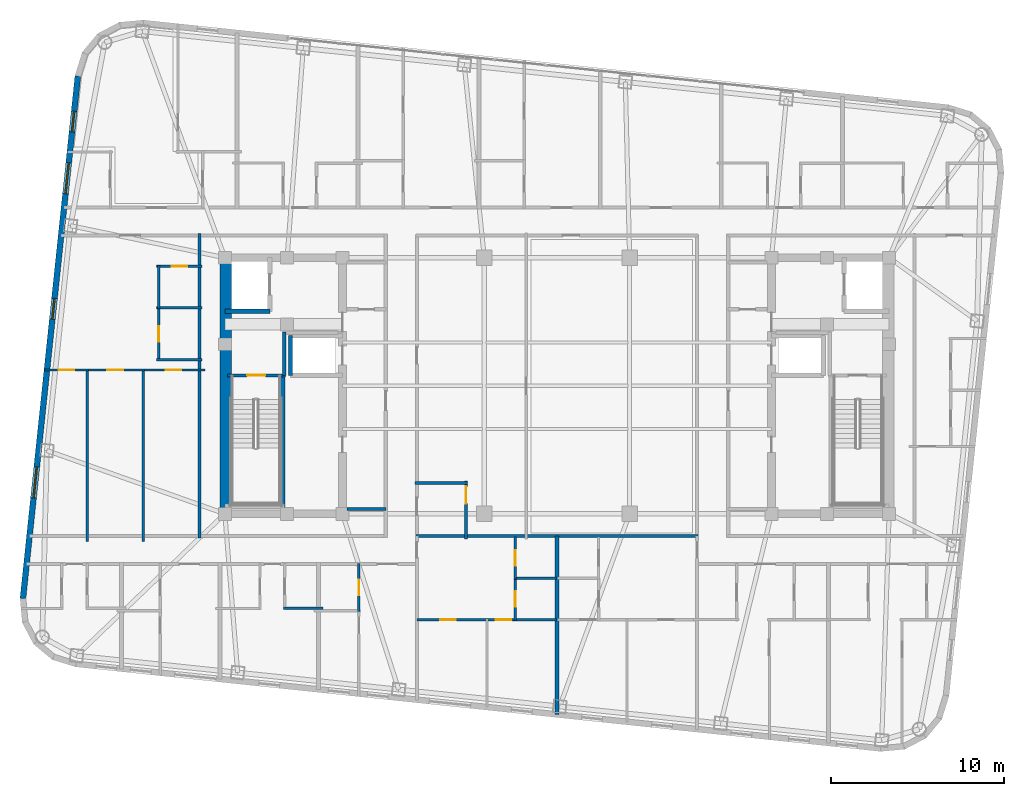
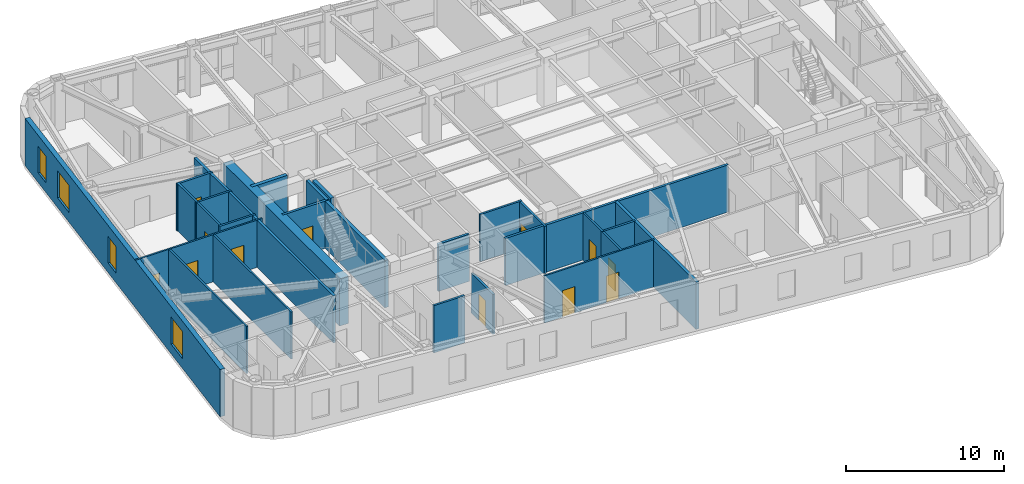
# One storey, part 9 of 16: 29 walls, 12 doors, 4 windows, 16 openings.
"""IFC4 building model written with IfcOpenShell, lengths in metres."""

from ifc_helpers import new_model, si_unit, direction, frame, frame_2d, origin, place, context, subcontext, project, spatial, rectangle, extrude, material, layer, layer_set, type_object, element, fill, save


model = new_model("IFC4")

# Units and contexts
model_context = context("Model", 3, precision=1e-05, world=origin(), true_north=direction((0.0, 1.0)))
body_context = subcontext(model_context, "Body", "Model", "MODEL_VIEW")
ifc_project = project(units=[si_unit("LENGTHUNIT", "METRE"), si_unit("AREAUNIT", "SQUARE_METRE"), si_unit("VOLUMEUNIT", "CUBIC_METRE"), si_unit("PLANEANGLEUNIT", "RADIAN"), si_unit("MASSUNIT", "GRAM", prefix="KILO")], contexts=[model_context])

# Site, building, storey
site_placement = place(None, origin())
site = spatial("IfcSite", under=ifc_project, at=site_placement, CompositionType="ELEMENT")
building_placement = place(site_placement, origin())
building = spatial("IfcBuilding", under=site, at=building_placement, Name="Voryun Gate Residences", CompositionType="ELEMENT")
storey_placement = place(building_placement, frame((0.0, 0.0, 267.800048828125)))
storey = spatial("IfcBuildingStorey", under=building, at=storey_placement, Name="L66", CompositionType="ELEMENT", Elevation=267.800048828125)

# Wall
ifc_material_1 = material(Name="Concrete C60/75", Category="concrete")
ifc_layer_1 = layer(ifc_material_1, 0.64990234375, Name="CW_CORE_650")
ifc_layer_set_1 = layer_set([ifc_layer_1], Name="Concrete C60/75")
wall_type_1 = type_object("IfcWallType", Name="CW_CORE_650", PredefinedType="SHEAR", material=ifc_layer_set_1)
wall_1_placement = place(storey_placement, frame((-19.14501953125, -7.39990234375, 0.0), z_axis=(0.0, 0.0, 1.0), x_axis=(0.0, 1.0, 0.0)))
element("IfcWall", 1, at=wall_1_placement, inside=storey, type_object=wall_type_1, Name="L66 Core shear wall CW-L66-WW", PredefinedType="SHEAR", context=body_context, shape_type="SweptSolid", body=[
    extrude(rectangle(XDim=14.7998046875, YDim=0.64990234375, at=frame_2d((7.39990234375, 0.0))), origin(), (0.0, 0.0, 1.0), 3.64990234375),
])

# Wall, opening, door
ifc_material_2 = material(Name="Gypsum acoustic fireboard")
ifc_layer_2 = layer(ifc_material_2, 0.179931640625, Name="W_CORR_RATED_180")
ifc_layer_set_2 = layer_set([ifc_layer_2], Name="Gypsum acoustic fireboard")
wall_type_2 = type_object("IfcWallType", Name="W_CORR_RATED_180", PredefinedType="PARTITIONING", material=ifc_layer_set_2)
wall_2_placement = place(storey_placement, frame((-19.06005859375, 0.60009765625, 0.0), z_axis=(0.0, 0.0, 1.0), x_axis=(1.0, 0.0, 0.0)))
wall_2 = element("IfcWall", 2, at=wall_2_placement, inside=storey, type_object=wall_type_2, Name="Partition wall WP-L66-STV-W", PredefinedType="PARTITIONING", context=body_context, shape_type="SweptSolid", body=[
    extrude(rectangle(XDim=3.360107421875, YDim=0.179931640625, at=frame_2d((1.68017578125, 0.0))), origin(), (0.0, 0.0, 1.0), 3.64990234375),
])
opening_1_placement = place(wall_2_placement, frame((1.155029296875, 0.0, 0.0)))
opening_1 = element("IfcOpeningElement", 3, at=opening_1_placement, cuts=wall_2, Name="Opening D-FD60-1", PredefinedType="OPENING", context=body_context, shape_type="SweptSolid", body=[
    extrude(rectangle(XDim=1.050048828125, YDim=2.050048828125, at=frame_2d((0.52490234375, 1.02490234375))), frame((0.0, 0.099853515625, 0.0), z_axis=(0.0, -1.0, 0.0), x_axis=(1.0, 0.0, 0.0)), (0.0, 0.0, 1.0), 0.199951171875),
])
ifc_material_3 = material(Name="Painted steel fire door", Category="steel")
door_type_1 = type_object("IfcDoorType", Name="DR_FD60_STAIR_1050", OperationType="NOTDEFINED", PredefinedType="DOOR", material=ifc_material_3)
door_1_placement = place(opening_1_placement, origin())
door_1 = element("IfcDoor", 4, at=door_1_placement, inside=storey, type_object=door_type_1, Name="Door DR-L66-ST-W", OperationType="SINGLE_SWING_LEFT", OverallHeight=2.050048828125, OverallWidth=1.050048828125, PredefinedType="DOOR", context=body_context, shape_type="SweptSolid", body=[
    extrude(rectangle(XDim=1.050048828125, YDim=2.050048828125, at=frame_2d((0.52490234375, 1.02490234375))), frame((0.0, 0.02490234375, 0.0), z_axis=(0.0, -1.0, 0.0), x_axis=(1.0, 0.0, 0.0)), (0.0, 0.0, 1.0), 0.050048828125),
])
fill(opening_1, door_1)

# Walls
wall_3_placement = place(storey_placement, frame((-12.14990234375, -7.1201171875, 0.0), z_axis=(0.0, 0.0, 1.0), x_axis=(1.0, 0.0, 0.0)))
element("IfcWall", 5, at=wall_3_placement, inside=storey, type_object=wall_type_2, Name="Partition wall WP-L66-PLBS-W", PredefinedType="PARTITIONING", context=body_context, shape_type="SweptSolid", body=[
    extrude(rectangle(XDim=2.27001953125, YDim=0.179931640625, at=frame_2d((1.135009765625, 0.0))), origin(), (0.0, 0.0, 1.0), 3.64990234375),
])
wall_4_placement = place(storey_placement, frame((-8.14990234375, -8.68994140625, 0.0), z_axis=(0.0, 0.0, 1.0), x_axis=(1.0, 0.0, 0.0)))
element("IfcWall", 6, at=wall_4_placement, inside=storey, type_object=wall_type_2, Name="Partition wall WP-L66-Z3S", PredefinedType="PARTITIONING", context=body_context, shape_type="SweptSolid", body=[
    extrude(rectangle(XDim=16.2998046875, YDim=0.179931640625, at=frame_2d((8.14990234375, 0.0))), origin(), (0.0, 0.0, 1.0), 3.64990234375),
])
wall_5_placement = place(storey_placement, frame((-20.669921875, -8.81005859375, 0.0), z_axis=(0.0, 0.0, 1.0), x_axis=(0.0, 1.0, 0.0)))
element("IfcWall", 7, at=wall_5_placement, inside=storey, type_object=wall_type_2, Name="Partition wall WP-L66-WCOR", PredefinedType="PARTITIONING", context=body_context, shape_type="SweptSolid", body=[
    extrude(rectangle(XDim=17.6201171875, YDim=0.179931640625, at=frame_2d((8.81005859375, 0.0))), origin(), (0.0, 0.0, 1.0), 3.64990234375),
])

# Wall, openings, windows
ifc_material_4 = material(Name="Charcoal terracotta masonry", Category="masonry")
ifc_layer_3 = layer(ifc_material_4, 0.340087890625, Name="W_EXT_TERRACOTTA_340")
ifc_layer_set_3 = layer_set([ifc_layer_3], Name="Charcoal terracotta masonry")
wall_type_3 = type_object("IfcWallType", Name="W_EXT_TERRACOTTA_340", PredefinedType="ELEMENTEDWALL", material=ifc_layer_set_3)
wall_6_placement = place(storey_placement, frame((-30.8701171875, -12.295654296875, 0.0), z_axis=(0.0, 0.0, 1.0), x_axis=(0.104533282919, 0.994521388791, 0.0)))
wall_6 = element("IfcWall", 8, at=wall_6_placement, inside=storey, type_object=wall_type_3, Name="Exterior wall WEXT-L66-06", PredefinedType="ELEMENTEDWALL", context=body_context, shape_type="SweptSolid", body=[
    extrude(rectangle(XDim=30.366455078125, YDim=0.340087890625, at=frame_2d((15.18310546875, 0.0))), origin(), (0.0, 0.0, 1.0), 3.64990234375),
])
opening_2_placement = place(wall_6_placement, frame((5.841552734375, 0.0, 0.75)))
opening_2 = element("IfcOpeningElement", 9, at=opening_2_placement, cuts=wall_6, Name="Opening WN1", PredefinedType="OPENING", context=body_context, shape_type="SweptSolid", body=[
    extrude(rectangle(XDim=1.800048828125, YDim=2.10009765625, at=frame_2d((0.89990234375, 1.050048828125))), frame((0.0, 0.179931640625, 0.0), z_axis=(0.0, -1.0, 0.0), x_axis=(1.0, 0.0, 0.0)), (0.0, 0.0, 1.0), 0.360107421875),
])
opening_3_placement = place(wall_6_placement, frame((23.52490234375, 0.0, 0.75)))
opening_3 = element("IfcOpeningElement", 10, at=opening_3_placement, cuts=wall_6, Name="Opening WN1", PredefinedType="OPENING", context=body_context, shape_type="SweptSolid", body=[
    extrude(rectangle(XDim=1.800048828125, YDim=2.10009765625, at=frame_2d((0.89990234375, 1.050048828125))), frame((0.0, 0.179931640625, 0.0), z_axis=(0.0, -1.0, 0.0), x_axis=(1.0, 0.0, 0.0)), (0.0, 0.0, 1.0), 0.360107421875),
])
opening_4_placement = place(wall_6_placement, frame((27.116943359375, 0.0, 0.75)))
opening_4 = element("IfcOpeningElement", 11, at=opening_4_placement, cuts=wall_6, Name="Opening WN6", PredefinedType="OPENING", context=body_context, shape_type="SweptSolid", body=[
    extrude(rectangle(XDim=1.199951171875, YDim=2.050048828125, at=frame_2d((0.60009765625, 1.02490234375))), frame((0.0, 0.179931640625, 0.0), z_axis=(0.0, -1.0, 0.0), x_axis=(1.0, 0.0, 0.0)), (0.0, 0.0, 1.0), 0.360107421875),
])
opening_5_placement = place(wall_6_placement, frame((16.235107421875, 0.0, 0.75)))
opening_5 = element("IfcOpeningElement", 12, at=opening_5_placement, cuts=wall_6, Name="Opening WN6", PredefinedType="OPENING", context=body_context, shape_type="SweptSolid", body=[
    extrude(rectangle(XDim=1.199951171875, YDim=2.050048828125, at=frame_2d((0.60009765625, 1.02490234375))), frame((0.0, 0.179931640625, 0.0), z_axis=(0.0, -1.0, 0.0), x_axis=(1.0, 0.0, 0.0)), (0.0, 0.0, 1.0), 0.360107421875),
])
ifc_material_5 = material(Name="Laminated low-E glass", Category="glass")
window_type_1 = type_object("IfcWindowType", Name="WN_POD_SLOT_1200", PartitioningType="SINGLE_PANEL", PredefinedType="WINDOW", material=ifc_material_5)
window_1_placement = place(opening_4_placement, origin())
window_1 = element("IfcWindow", 13, at=window_1_placement, inside=storey, type_object=window_type_1, Name="Window WN-L66-DWFIX-01", OverallHeight=2.050048828125, OverallWidth=1.199951171875, PartitioningType="SINGLE_PANEL", PredefinedType="WINDOW", context=body_context, shape_type="SweptSolid", body=[
    extrude(rectangle(XDim=1.199951171875, YDim=2.050048828125, at=frame_2d((0.60009765625, 1.02490234375))), frame((0.0, 0.030029296875, 0.0), z_axis=(0.0, -1.0, 0.0), x_axis=(1.0, 0.0, 0.0)), (0.0, 0.0, 1.0), 0.06005859375),
])
fill(opening_4, window_1)
window_2_placement = place(opening_5_placement, origin())
window_2 = element("IfcWindow", 14, at=window_2_placement, inside=storey, type_object=window_type_1, Name="Window WN-L66-DWFIX-16", OverallHeight=2.050048828125, OverallWidth=1.199951171875, PartitioningType="SINGLE_PANEL", PredefinedType="WINDOW", context=body_context, shape_type="SweptSolid", body=[
    extrude(rectangle(XDim=1.199951171875, YDim=2.050048828125, at=frame_2d((0.60009765625, 1.02490234375))), frame((0.0, 0.030029296875, 0.0), z_axis=(0.0, -1.0, 0.0), x_axis=(1.0, 0.0, 0.0)), (0.0, 0.0, 1.0), 0.06005859375),
])
fill(opening_5, window_2)
ifc_material_6 = material(Name="Laminated low-E glass", Category="glass")
window_type_2 = type_object("IfcWindowType", Name="WN_RES_PUNCH_1800", PartitioningType="SINGLE_PANEL", PredefinedType="WINDOW", material=ifc_material_6)
window_3_placement = place(opening_2_placement, origin())
window_3 = element("IfcWindow", 15, at=window_3_placement, inside=storey, type_object=window_type_2, Name="Window WN-WEXT-L66-06-01", OverallHeight=2.10009765625, OverallWidth=1.800048828125, PartitioningType="SINGLE_PANEL", PredefinedType="WINDOW", context=body_context, shape_type="SweptSolid", body=[
    extrude(rectangle(XDim=1.800048828125, YDim=2.10009765625, at=frame_2d((0.89990234375, 1.050048828125))), frame((0.0, 0.030029296875, 0.0), z_axis=(0.0, -1.0, 0.0), x_axis=(1.0, 0.0, 0.0)), (0.0, 0.0, 1.0), 0.06005859375),
])
fill(opening_2, window_3)
window_4_placement = place(opening_3_placement, origin())
window_4 = element("IfcWindow", 16, at=window_4_placement, inside=storey, type_object=window_type_2, Name="Window WN-WEXT-L66-06-02", OverallHeight=2.10009765625, OverallWidth=1.800048828125, PartitioningType="SINGLE_PANEL", PredefinedType="WINDOW", context=body_context, shape_type="SweptSolid", body=[
    extrude(rectangle(XDim=1.800048828125, YDim=2.10009765625, at=frame_2d((0.89990234375, 1.050048828125))), frame((0.0, 0.030029296875, 0.0), z_axis=(0.0, -1.0, 0.0), x_axis=(1.0, 0.0, 0.0)), (0.0, 0.0, 1.0), 0.06005859375),
])
fill(opening_3, window_4)

# Walls
ifc_material_7 = material(Name="Concrete C40/50", Category="concrete")
ifc_layer_4 = layer(ifc_material_7, 0.199951171875, Name="W_FF_LOBBY_200")
ifc_layer_set_4 = layer_set([ifc_layer_4], Name="Concrete C40/50")
wall_type_4 = type_object("IfcWallType", Name="W_FF_LOBBY_200", PredefinedType="PARTITIONING", material=ifc_layer_set_4)
wall_7_placement = place(storey_placement, frame((-15.760009765625, 0.580078125, 0.0), z_axis=(0.0, 0.0, 1.0), x_axis=(0.0, 1.0, 0.0)))
element("IfcWall", 17, at=wall_7_placement, inside=storey, type_object=wall_type_4, Name="Partition wall WP-L66-FFP0-W", PredefinedType="PARTITIONING", context=body_context, shape_type="SweptSolid", body=[
    extrude(rectangle(XDim=2.52001953125, YDim=0.199951171875, at=frame_2d((1.260009765625, 0.0))), origin(), (0.0, 0.0, 1.0), 3.64990234375),
])
ifc_material_8 = material(Name="Concrete C40/50", Category="concrete")
ifc_layer_5 = layer(ifc_material_8, 0.219970703125, Name="W_PARTY_ACOUSTIC_220")
ifc_layer_set_5 = layer_set([ifc_layer_5], Name="Concrete C40/50")
wall_type_5 = type_object("IfcWallType", Name="W_PARTY_ACOUSTIC_220", PredefinedType="PARTITIONING", material=ifc_layer_set_5)
wall_8_placement = place(storey_placement, frame((0.0, -19.005859375, 0.0), z_axis=(0.0, 0.0, 1.0), x_axis=(0.0, 1.0, 0.0)))
element("IfcWall", 18, at=wall_8_placement, inside=storey, type_object=wall_type_5, Name="Partition wall WP-L66-SZMID", PredefinedType="PARTITIONING", context=body_context, shape_type="SweptSolid", body=[
    extrude(rectangle(XDim=10.31591796875, YDim=0.219970703125, at=frame_2d((5.157958984375, 0.0))), origin(), (0.0, 0.0, 1.0), 3.64990234375),
])
ifc_material_9 = material(Name="Concrete C50/60", Category="concrete")
ifc_layer_6 = layer(ifc_material_9, 0.25, Name="W_SHAFT_RC250")
ifc_layer_set_6 = layer_set([ifc_layer_6], Name="Concrete C50/60")
wall_type_6 = type_object("IfcWallType", Name="W_SHAFT_RC250", PredefinedType="SOLIDWALL", material=ifc_layer_set_6)
wall_9_placement = place(storey_placement, frame((-15.860107421875, -7.0849609375, 0.0), z_axis=(0.0, 0.0, 1.0), x_axis=(0.0, 1.0, 0.0)))
element("IfcWall", 19, at=wall_9_placement, inside=storey, type_object=wall_type_6, Name="L66 Stair shaft structural wall W-STR", PredefinedType="SOLIDWALL", context=body_context, shape_type="SweptSolid", body=[
    extrude(rectangle(XDim=7.68505859375, YDim=0.25, at=frame_2d((3.842529296875, 0.0))), origin(), (0.0, 0.0, 1.0), 3.64990234375),
])
wall_10_placement = place(storey_placement, frame((-19.199951171875, 4.300048828125, 0.0), z_axis=(0.0, 0.0, 1.0), x_axis=(1.0, 0.0, 0.0)))
element("IfcWall", 20, at=wall_10_placement, inside=storey, type_object=wall_type_6, Name="Lift shaft wall WSH-L66-EL-FF-W1-S", PredefinedType="SOLIDWALL", context=body_context, shape_type="SweptSolid", body=[
    extrude(rectangle(XDim=2.599853515625, YDim=0.25, at=frame_2d((1.2998046875, 0.0))), origin(), (0.0, 0.0, 1.0), 3.64990234375),
])
wall_11_placement = place(storey_placement, frame((-15.39990234375, 2.89990234375, 0.0), z_axis=(0.0, 0.0, 1.0), x_axis=(0.0, -1.0, 0.0)))
element("IfcWall", 21, at=wall_11_placement, inside=storey, type_object=wall_type_6, Name="Lift shaft wall WSH-L66-EL-P7-W", PredefinedType="SOLIDWALL", context=body_context, shape_type="SweptSolid", body=[
    extrude(rectangle(XDim=2.2998046875, YDim=0.25, at=frame_2d((1.14990234375, 0.0))), origin(), (0.0, 0.0, 1.0), 3.64990234375),
])

# Wall, openings, doors
ifc_material_10 = material(Name="Gypsum acoustic partition")
ifc_layer_7 = layer(ifc_material_10, 0.125, Name="W_UNIT_PART_125")
ifc_layer_set_7 = layer_set([ifc_layer_7], Name="Gypsum acoustic partition")
wall_type_7 = type_object("IfcWallType", Name="W_UNIT_PART_125", PredefinedType="PARTITIONING", material=ifc_layer_set_7)
wall_12_placement = place(storey_placement, frame((-8.080078125, -13.530029296875, 0.0), z_axis=(0.0, 0.0, 1.0), x_axis=(1.0, 0.0, 0.0)))
wall_12 = element("IfcWall", 22, at=wall_12_placement, inside=storey, type_object=wall_type_7, Name="Partition wall WP-L66-SC1-HZ", PredefinedType="PARTITIONING", context=body_context, shape_type="SweptSolid", body=[
    extrude(rectangle(XDim=8.06005859375, YDim=0.125, at=frame_2d((4.030029296875, 0.0))), origin(), (0.0, 0.0, 1.0), 3.64990234375),
])
opening_6_placement = place(wall_12_placement, frame((1.3232421875, 0.0, 0.0)))
opening_6 = element("IfcOpeningElement", 23, at=opening_6_placement, cuts=wall_12, Name="Opening D-INT-2", PredefinedType="OPENING", context=body_context, shape_type="SweptSolid", body=[
    extrude(rectangle(XDim=0.89990234375, YDim=2.050048828125, at=frame_2d((0.449951171875, 1.02490234375))), frame((0.0, 0.072509765625, 0.0), z_axis=(0.0, -1.0, 0.0), x_axis=(1.0, 0.0, 0.0)), (0.0, 0.0, 1.0), 0.14501953125),
])
opening_7_placement = place(wall_12_placement, frame((4.547119140625, 0.0, 0.0)))
opening_7 = element("IfcOpeningElement", 24, at=opening_7_placement, cuts=wall_12, Name="Opening D-INT-2", PredefinedType="OPENING", context=body_context, shape_type="SweptSolid", body=[
    extrude(rectangle(XDim=0.89990234375, YDim=2.050048828125, at=frame_2d((0.449951171875, 1.02490234375))), frame((0.0, 0.072509765625, 0.0), z_axis=(0.0, -1.0, 0.0), x_axis=(1.0, 0.0, 0.0)), (0.0, 0.0, 1.0), 0.14501953125),
])
ifc_material_11 = material(Name="Architectural oak veneer")
door_type_2 = type_object("IfcDoorType", Name="DR_INT_BATH_900", OperationType="NOTDEFINED", PredefinedType="DOOR", material=ifc_material_11)
door_2_placement = place(opening_6_placement, origin())
door_2 = element("IfcDoor", 25, at=door_2_placement, inside=storey, type_object=door_type_2, Name="Door DR-L66-SC1-DMB", OperationType="SINGLE_SWING_LEFT", OverallHeight=2.050048828125, OverallWidth=0.89990234375, PredefinedType="DOOR", context=body_context, shape_type="SweptSolid", body=[
    extrude(rectangle(XDim=0.89990234375, YDim=2.050048828125, at=frame_2d((0.449951171875, 1.02490234375))), frame((0.0, 0.02490234375, 0.0), z_axis=(0.0, -1.0, 0.0), x_axis=(1.0, 0.0, 0.0)), (0.0, 0.0, 1.0), 0.050048828125),
])
fill(opening_6, door_2)
door_3_placement = place(opening_7_placement, origin())
door_3 = element("IfcDoor", 26, at=door_3_placement, inside=storey, type_object=door_type_2, Name="Door DR-L66-SC1-DBD2", OperationType="SINGLE_SWING_RIGHT", OverallHeight=2.050048828125, OverallWidth=0.89990234375, PredefinedType="DOOR", context=body_context, shape_type="SweptSolid", body=[
    extrude(rectangle(XDim=0.89990234375, YDim=2.050048828125, at=frame_2d((0.449951171875, 1.02490234375))), frame((0.0, 0.02490234375, 0.0), z_axis=(0.0, -1.0, 0.0), x_axis=(1.0, 0.0, 0.0)), (0.0, 0.0, 1.0), 0.050048828125),
])
fill(opening_7, door_3)

# Wall, opening, door
wall_13_placement = place(storey_placement, frame((-2.409912109375, -11.159912109375, 0.0), z_axis=(0.0, 0.0, 1.0), x_axis=(0.0, 1.0, 0.0)))
wall_13 = element("IfcWall", 27, at=wall_13_placement, inside=storey, type_object=wall_type_7, Name="Partition wall WP-L66-SC1-VK1", PredefinedType="PARTITIONING", context=body_context, shape_type="SweptSolid", body=[
    extrude(rectangle(XDim=2.409912109375, YDim=0.125, at=frame_2d((1.205078125, 0.0))), origin(), (0.0, 0.0, 1.0), 3.64990234375),
])
opening_8_placement = place(wall_13_placement, frame((0.7548828125, 0.0, 0.0)))
opening_8 = element("IfcOpeningElement", 28, at=opening_8_placement, cuts=wall_13, Name="Opening D-INT-2", PredefinedType="OPENING", context=body_context, shape_type="SweptSolid", body=[
    extrude(rectangle(XDim=0.89990234375, YDim=2.050048828125, at=frame_2d((0.449951171875, 1.02490234375))), frame((0.0, 0.072509765625, 0.0), z_axis=(0.0, -1.0, 0.0), x_axis=(1.0, 0.0, 0.0)), (0.0, 0.0, 1.0), 0.14501953125),
])
door_4_placement = place(opening_8_placement, origin())
door_4 = element("IfcDoor", 29, at=door_4_placement, inside=storey, type_object=door_type_2, Name="Door DR-L66-SC1-DK", OperationType="SINGLE_SWING_LEFT", OverallHeight=2.050048828125, OverallWidth=0.89990234375, PredefinedType="DOOR", context=body_context, shape_type="SweptSolid", body=[
    extrude(rectangle(XDim=0.89990234375, YDim=2.050048828125, at=frame_2d((0.449951171875, 1.02490234375))), frame((0.0, 0.02490234375, 0.0), z_axis=(0.0, -1.0, 0.0), x_axis=(1.0, 0.0, 0.0)), (0.0, 0.0, 1.0), 0.050048828125),
])
fill(opening_8, door_4)

wall_14_placement = place(storey_placement, frame((-29.633056640625, 0.909912109375, 0.0), z_axis=(0.0, 0.0, 1.0), x_axis=(1.0, 0.0, 0.0)))
wall_14 = element("IfcWall", 30, at=wall_14_placement, inside=storey, type_object=wall_type_7, Name="Partition wall WP-L66-W1-HZMB1", PredefinedType="PARTITIONING", context=body_context, shape_type="SweptSolid", body=[
    extrude(rectangle(XDim=2.53955078125, YDim=0.125, at=frame_2d((1.269775390625, 0.0))), origin(), (0.0, 0.0, 1.0), 3.64990234375),
])
opening_9_placement = place(wall_14_placement, frame((0.82861328125, 0.0, 0.0)))
opening_9 = element("IfcOpeningElement", 31, at=opening_9_placement, cuts=wall_14, Name="Opening D-INT-2", PredefinedType="OPENING", context=body_context, shape_type="SweptSolid", body=[
    extrude(rectangle(XDim=0.89990234375, YDim=2.050048828125, at=frame_2d((0.449951171875, 1.02490234375))), frame((0.0, 0.072509765625, 0.0), z_axis=(0.0, -1.0, 0.0), x_axis=(1.0, 0.0, 0.0)), (0.0, 0.0, 1.0), 0.14501953125),
])
door_5_placement = place(opening_9_placement, origin())
door_5 = element("IfcDoor", 32, at=door_5_placement, inside=storey, type_object=door_type_2, Name="Door DR-L66-W1-DMB", OperationType="SINGLE_SWING_LEFT", OverallHeight=2.050048828125, OverallWidth=0.89990234375, PredefinedType="DOOR", context=body_context, shape_type="SweptSolid", body=[
    extrude(rectangle(XDim=0.89990234375, YDim=2.050048828125, at=frame_2d((0.449951171875, 1.02490234375))), frame((0.0, 0.02490234375, 0.0), z_axis=(0.0, -1.0, 0.0), x_axis=(1.0, 0.0, 0.0)), (0.0, 0.0, 1.0), 0.050048828125),
])
fill(opening_9, door_5)

wall_15_placement = place(storey_placement, frame((-27.218505859375, 0.909912109375, 0.0), z_axis=(0.0, 0.0, 1.0), x_axis=(1.0, 0.0, 0.0)))
wall_15 = element("IfcWall", 33, at=wall_15_placement, inside=storey, type_object=wall_type_7, Name="Partition wall WP-L66-W1-HZMB2", PredefinedType="PARTITIONING", context=body_context, shape_type="SweptSolid", body=[
    extrude(rectangle(XDim=3.367919921875, YDim=0.125, at=frame_2d((1.68408203125, 0.0))), origin(), (0.0, 0.0, 1.0), 3.64990234375),
])
opening_10_placement = place(wall_15_placement, frame((1.23388671875, 0.0, 0.0)))
opening_10 = element("IfcOpeningElement", 34, at=opening_10_placement, cuts=wall_15, Name="Opening D-INT-2", PredefinedType="OPENING", context=body_context, shape_type="SweptSolid", body=[
    extrude(rectangle(XDim=0.89990234375, YDim=2.050048828125, at=frame_2d((0.449951171875, 1.02490234375))), frame((0.0, 0.072509765625, 0.0), z_axis=(0.0, -1.0, 0.0), x_axis=(1.0, 0.0, 0.0)), (0.0, 0.0, 1.0), 0.14501953125),
])
door_6_placement = place(opening_10_placement, origin())
door_6 = element("IfcDoor", 35, at=door_6_placement, inside=storey, type_object=door_type_2, Name="Door DR-L66-W1-DBD2", OperationType="SINGLE_SWING_RIGHT", OverallHeight=2.050048828125, OverallWidth=0.89990234375, PredefinedType="DOOR", context=body_context, shape_type="SweptSolid", body=[
    extrude(rectangle(XDim=0.89990234375, YDim=2.050048828125, at=frame_2d((0.449951171875, 1.02490234375))), frame((0.0, 0.02490234375, 0.0), z_axis=(0.0, -1.0, 0.0), x_axis=(1.0, 0.0, 0.0)), (0.0, 0.0, 1.0), 0.050048828125),
])
fill(opening_10, door_6)

wall_16_placement = place(storey_placement, frame((-23.9755859375, 0.909912109375, 0.0), z_axis=(0.0, 0.0, 1.0), x_axis=(1.0, 0.0, 0.0)))
wall_16 = element("IfcWall", 36, at=wall_16_placement, inside=storey, type_object=wall_type_7, Name="Partition wall WP-L66-W1-HZMB3", PredefinedType="PARTITIONING", context=body_context, shape_type="SweptSolid", body=[
    extrude(rectangle(XDim=3.62548828125, YDim=0.125, at=frame_2d((1.812744140625, 0.0))), origin(), (0.0, 0.0, 1.0), 3.64990234375),
])
opening_11_placement = place(wall_16_placement, frame((1.35400390625, 0.0, 0.0)))
opening_11 = element("IfcOpeningElement", 37, at=opening_11_placement, cuts=wall_16, Name="Opening D-INT-2", PredefinedType="OPENING", context=body_context, shape_type="SweptSolid", body=[
    extrude(rectangle(XDim=0.89990234375, YDim=2.050048828125, at=frame_2d((0.449951171875, 1.02490234375))), frame((0.0, 0.072509765625, 0.0), z_axis=(0.0, -1.0, 0.0), x_axis=(1.0, 0.0, 0.0)), (0.0, 0.0, 1.0), 0.14501953125),
])
door_7_placement = place(opening_11_placement, origin())
door_7 = element("IfcDoor", 38, at=door_7_placement, inside=storey, type_object=door_type_2, Name="Door DR-L66-W1-DBD3", OperationType="SINGLE_SWING_LEFT", OverallHeight=2.050048828125, OverallWidth=0.89990234375, PredefinedType="DOOR", context=body_context, shape_type="SweptSolid", body=[
    extrude(rectangle(XDim=0.89990234375, YDim=2.050048828125, at=frame_2d((0.449951171875, 1.02490234375))), frame((0.0, 0.02490234375, 0.0), z_axis=(0.0, -1.0, 0.0), x_axis=(1.0, 0.0, 0.0)), (0.0, 0.0, 1.0), 0.050048828125),
])
fill(opening_11, door_7)

# Walls
for number, where, z_axis, x_axis, name in (
    (39, (-23.9130859375, -9.010009765625, 0.0), (0.0, 0.0, 1.0), (0.0, 1.0, 0.0), "Partition wall WP-L66-W1-VMB2"),
    (40, (-27.156005859375, -9.010009765625, 0.0), (0.0, 0.0, 1.0), (0.0, 1.0, 0.0), "Partition wall WP-L66-W1-VMB"),
):
    element("IfcWall", number, at=place(storey_placement, frame(where, z_axis=z_axis, x_axis=x_axis)), inside=storey, type_object=wall_type_7, Name=name, PredefinedType="PARTITIONING", context=body_context, shape_type="SweptSolid", body=[
        extrude(rectangle(XDim=9.97998046875, YDim=0.125, at=frame_2d((4.989990234375, 0.0))), origin(), (0.0, 0.0, 1.0), 3.64990234375),
    ])

# Wall, opening, door
ifc_material_12 = material(Name="Gypsum moisture-resistant partition")
ifc_layer_8 = layer(ifc_material_12, 0.14990234375, Name="W_WET_PLUMB_150")
ifc_layer_set_8 = layer_set([ifc_layer_8], Name="Gypsum moisture-resistant partition")
wall_type_8 = type_object("IfcWallType", Name="W_WET_PLUMB_150", PredefinedType="PLUMBINGWALL", material=ifc_layer_set_8)
wall_17_placement = place(storey_placement, frame((-5.260009765625, -8.8701171875, 0.0), z_axis=(0.0, 0.0, 1.0), x_axis=(0.0, 1.0, 0.0)))
wall_17 = element("IfcWall", 41, at=wall_17_placement, inside=storey, type_object=wall_type_8, Name="Partition wall WP-L66-CMWCX", PredefinedType="PLUMBINGWALL", context=body_context, shape_type="SweptSolid", body=[
    extrude(rectangle(XDim=3.35009765625, YDim=0.14990234375, at=frame_2d((1.675048828125, 0.0))), origin(), (0.0, 0.0, 1.0), 3.64990234375),
])
opening_12_placement = place(wall_17_placement, frame((2.054931640625, 0.0, 0.0)))
opening_12 = element("IfcOpeningElement", 42, at=opening_12_placement, cuts=wall_17, Name="Opening D-AWC-1", PredefinedType="OPENING", context=body_context, shape_type="SweptSolid", body=[
    extrude(rectangle(XDim=1.0, YDim=2.050048828125, at=frame_2d((0.5, 1.02490234375))), frame((0.0, 0.0849609375, 0.0), z_axis=(0.0, -1.0, 0.0), x_axis=(1.0, 0.0, 0.0)), (0.0, 0.0, 1.0), 0.169921875),
])
ifc_material_13 = material(Name="Architectural oak veneer")
door_type_3 = type_object("IfcDoorType", Name="DR_ACC_WC_1000", OperationType="NOTDEFINED", PredefinedType="DOOR", material=ifc_material_13)
door_8_placement = place(opening_12_placement, origin())
door_8 = element("IfcDoor", 43, at=door_8_placement, inside=storey, type_object=door_type_3, Name="Door DR-L66-CMWC", OperationType="SINGLE_SWING_LEFT", OverallHeight=2.050048828125, OverallWidth=1.0, PredefinedType="DOOR", context=body_context, shape_type="SweptSolid", body=[
    extrude(rectangle(XDim=1.0, YDim=2.050048828125, at=frame_2d((0.5, 1.02490234375))), frame((0.0, 0.02490234375, 0.0), z_axis=(0.0, -1.0, 0.0), x_axis=(1.0, 0.0, 0.0)), (0.0, 0.0, 1.0), 0.050048828125),
])
fill(opening_12, door_8)

# Walls
wall_18_placement = place(storey_placement, frame((-8.2099609375, -5.6201171875, 0.0), z_axis=(0.0, 0.0, 1.0), x_axis=(1.0, 0.0, 0.0)))
element("IfcWall", 44, at=wall_18_placement, inside=storey, type_object=wall_type_8, Name="Partition wall WP-L66-CMWCY", PredefinedType="PLUMBINGWALL", context=body_context, shape_type="SweptSolid", body=[
    extrude(rectangle(XDim=3.050048828125, YDim=0.14990234375, at=frame_2d((1.52490234375, 0.0))), origin(), (0.0, 0.0, 1.0), 3.64990234375),
])
wall_19_placement = place(storey_placement, frame((-15.7958984375, -12.8701171875, 0.0), z_axis=(0.0, 0.0, 1.0), x_axis=(1.0, 0.0, 0.0)))
element("IfcWall", 45, at=wall_19_placement, inside=storey, type_object=wall_type_8, Name="Partition wall WP-L66-S3-CHB", PredefinedType="PLUMBINGWALL", context=body_context, shape_type="SweptSolid", body=[
    extrude(rectangle(XDim=2.27685546875, YDim=0.14990234375, at=frame_2d((1.138427734375, 0.0))), origin(), (0.0, 0.0, 1.0), 3.64990234375),
])

# Wall, opening, door
wall_20_placement = place(storey_placement, frame((-11.447998046875, -13.0400390625, 0.0), z_axis=(0.0, 0.0, 1.0), x_axis=(0.0, 1.0, 0.0)))
wall_20 = element("IfcWall", 46, at=wall_20_placement, inside=storey, type_object=wall_type_8, Name="Partition wall WP-L66-S4-SVT2", PredefinedType="PLUMBINGWALL", context=body_context, shape_type="SweptSolid", body=[
    extrude(rectangle(XDim=2.760009765625, YDim=0.14990234375, at=frame_2d((1.3798828125, 0.0))), origin(), (0.0, 0.0, 1.0), 3.08984375),
])
opening_13_placement = place(wall_20_placement, frame((0.929931640625, 0.0, 0.0)))
opening_13 = element("IfcOpeningElement", 47, at=opening_13_placement, cuts=wall_20, Name="Opening D-INT-2", PredefinedType="OPENING", context=body_context, shape_type="SweptSolid", body=[
    extrude(rectangle(XDim=0.89990234375, YDim=2.050048828125, at=frame_2d((0.449951171875, 1.02490234375))), frame((0.0, 0.0849609375, 0.0), z_axis=(0.0, -1.0, 0.0), x_axis=(1.0, 0.0, 0.0)), (0.0, 0.0, 1.0), 0.169921875),
])
door_9_placement = place(opening_13_placement, origin())
door_9 = element("IfcDoor", 48, at=door_9_placement, inside=storey, type_object=door_type_2, Name="Door DR-L66-S4-DB", OperationType="SINGLE_SWING_RIGHT", OverallHeight=2.050048828125, OverallWidth=0.89990234375, PredefinedType="DOOR", context=body_context, shape_type="SweptSolid", body=[
    extrude(rectangle(XDim=0.89990234375, YDim=2.050048828125, at=frame_2d((0.449951171875, 1.02490234375))), frame((0.0, 0.02490234375, 0.0), z_axis=(0.0, -1.0, 0.0), x_axis=(1.0, 0.0, 0.0)), (0.0, 0.0, 1.0), 0.050048828125),
])
fill(opening_13, door_9)

wall_21_placement = place(storey_placement, frame((-2.409912109375, -13.570068359375, 0.0), z_axis=(0.0, 0.0, 1.0), x_axis=(0.0, 1.0, 0.0)))
wall_21 = element("IfcWall", 49, at=wall_21_placement, inside=storey, type_object=wall_type_8, Name="Partition wall WP-L66-SC1-VK2", PredefinedType="PLUMBINGWALL", context=body_context, shape_type="SweptSolid", body=[
    extrude(rectangle(XDim=2.469970703125, YDim=0.14990234375, at=frame_2d((1.23486328125, 0.0))), origin(), (0.0, 0.0, 1.0), 3.64990234375),
])
opening_14_placement = place(wall_21_placement, frame((0.784912109375, 0.0, 0.0)))
opening_14 = element("IfcOpeningElement", 50, at=opening_14_placement, cuts=wall_21, Name="Opening D-INT-2", PredefinedType="OPENING", context=body_context, shape_type="SweptSolid", body=[
    extrude(rectangle(XDim=0.89990234375, YDim=2.050048828125, at=frame_2d((0.449951171875, 1.02490234375))), frame((0.0, 0.0849609375, 0.0), z_axis=(0.0, -1.0, 0.0), x_axis=(1.0, 0.0, 0.0)), (0.0, 0.0, 1.0), 0.169921875),
])
door_10_placement = place(opening_14_placement, origin())
door_10 = element("IfcDoor", 51, at=door_10_placement, inside=storey, type_object=door_type_2, Name="Door DR-L66-SC1-DB", OperationType="SINGLE_SWING_RIGHT", OverallHeight=2.050048828125, OverallWidth=0.89990234375, PredefinedType="DOOR", context=body_context, shape_type="SweptSolid", body=[
    extrude(rectangle(XDim=0.89990234375, YDim=2.050048828125, at=frame_2d((0.449951171875, 1.02490234375))), frame((0.0, 0.02490234375, 0.0), z_axis=(0.0, -1.0, 0.0), x_axis=(1.0, 0.0, 0.0)), (0.0, 0.0, 1.0), 0.050048828125),
])
fill(opening_14, door_10)

# Wall
wall_22_placement = place(storey_placement, frame((-2.449951171875, -11.1298828125, 0.0), z_axis=(0.0, 0.0, 1.0), x_axis=(1.0, 0.0, 0.0)))
element("IfcWall", 52, at=wall_22_placement, inside=storey, type_object=wall_type_8, Name="Partition wall WP-L66-SC1-HKB", PredefinedType="PLUMBINGWALL", context=body_context, shape_type="SweptSolid", body=[
    extrude(rectangle(XDim=2.429931640625, YDim=0.14990234375, at=frame_2d((1.21484375, 0.0))), origin(), (0.0, 0.0, 1.0), 3.64990234375),
])

# Wall, opening, door
wall_23_placement = place(storey_placement, frame((-23.139892578125, 6.89990234375, 0.0), z_axis=(0.0, 0.0, 1.0), x_axis=(1.0, 0.0, 0.0)))
wall_23 = element("IfcWall", 53, at=wall_23_placement, inside=storey, type_object=wall_type_8, Name="Partition wall WP-L66-W1-IBT", PredefinedType="PLUMBINGWALL", context=body_context, shape_type="SweptSolid", body=[
    extrude(rectangle(XDim=2.619873046875, YDim=0.14990234375, at=frame_2d((1.31005859375, 0.0))), origin(), (0.0, 0.0, 1.0), 3.64990234375),
])
opening_15_placement = place(wall_23_placement, frame((0.860107421875, 0.0, 0.0)))
opening_15 = element("IfcOpeningElement", 54, at=opening_15_placement, cuts=wall_23, Name="Opening D-INT-2", PredefinedType="OPENING", context=body_context, shape_type="SweptSolid", body=[
    extrude(rectangle(XDim=0.89990234375, YDim=2.050048828125, at=frame_2d((0.449951171875, 1.02490234375))), frame((0.0, 0.0849609375, 0.0), z_axis=(0.0, -1.0, 0.0), x_axis=(1.0, 0.0, 0.0)), (0.0, 0.0, 1.0), 0.169921875),
])
door_11_placement = place(opening_15_placement, origin())
door_11 = element("IfcDoor", 55, at=door_11_placement, inside=storey, type_object=door_type_2, Name="Door DR-L66-W1-DK", OperationType="SINGLE_SWING_LEFT", OverallHeight=2.050048828125, OverallWidth=0.89990234375, PredefinedType="DOOR", context=body_context, shape_type="SweptSolid", body=[
    extrude(rectangle(XDim=0.89990234375, YDim=2.050048828125, at=frame_2d((0.449951171875, 1.02490234375))), frame((0.0, 0.02490234375, 0.0), z_axis=(0.0, -1.0, 0.0), x_axis=(1.0, 0.0, 0.0)), (0.0, 0.0, 1.0), 0.050048828125),
])
fill(opening_15, door_11)

# Walls
for number, where, z_axis, x_axis, name in (
    (56, (-23.139892578125, 4.52001953125, 0.0), (0.0, 0.0, 1.0), (1.0, 0.0, 0.0), "Partition wall WP-L66-W1-IKB"),
    (57, (-23.139892578125, 1.5, 0.0), (0.0, 0.0, 1.0), (1.0, 0.0, 0.0), "Partition wall WP-L66-W1-IBB"),
):
    element("IfcWall", number, at=place(storey_placement, frame(where, z_axis=z_axis, x_axis=x_axis)), inside=storey, type_object=wall_type_8, Name=name, PredefinedType="PLUMBINGWALL", context=body_context, shape_type="SweptSolid", body=[
        extrude(rectangle(XDim=2.619873046875, YDim=0.14990234375, at=frame_2d((1.31005859375, 0.0))), origin(), (0.0, 0.0, 1.0), 3.64990234375),
    ])

# Wall, opening, door
wall_24_placement = place(storey_placement, frame((-23.02001953125, 1.43994140625, 0.0), z_axis=(0.0, 0.0, 1.0), x_axis=(0.0, 1.0, 0.0)))
wall_24 = element("IfcWall", 58, at=wall_24_placement, inside=storey, type_object=wall_type_8, Name="Partition wall WP-L66-W1-VTSK1", PredefinedType="PLUMBINGWALL", context=body_context, shape_type="SweptSolid", body=[
    extrude(rectangle(XDim=3.1201171875, YDim=0.14990234375, at=frame_2d((1.56005859375, 0.0))), origin(), (0.0, 0.0, 1.0), 3.64990234375),
])
opening_16_placement = place(wall_24_placement, frame((1.110107421875, 0.0, 0.0)))
opening_16 = element("IfcOpeningElement", 59, at=opening_16_placement, cuts=wall_24, Name="Opening D-INT-2", PredefinedType="OPENING", context=body_context, shape_type="SweptSolid", body=[
    extrude(rectangle(XDim=0.89990234375, YDim=2.050048828125, at=frame_2d((0.449951171875, 1.02490234375))), frame((0.0, 0.0849609375, 0.0), z_axis=(0.0, -1.0, 0.0), x_axis=(1.0, 0.0, 0.0)), (0.0, 0.0, 1.0), 0.169921875),
])
door_12_placement = place(opening_16_placement, origin())
door_12 = element("IfcDoor", 60, at=door_12_placement, inside=storey, type_object=door_type_2, Name="Door DR-L66-W1-DB", OperationType="SINGLE_SWING_RIGHT", OverallHeight=2.050048828125, OverallWidth=0.89990234375, PredefinedType="DOOR", context=body_context, shape_type="SweptSolid", body=[
    extrude(rectangle(XDim=0.89990234375, YDim=2.050048828125, at=frame_2d((0.449951171875, 1.02490234375))), frame((0.0, 0.02490234375, 0.0), z_axis=(0.0, -1.0, 0.0), x_axis=(1.0, 0.0, 0.0)), (0.0, 0.0, 1.0), 0.050048828125),
])
fill(opening_16, door_12)

# Wall
wall_25_placement = place(storey_placement, frame((-23.02001953125, 4.47998046875, 0.0), z_axis=(0.0, 0.0, 1.0), x_axis=(0.0, 1.0, 0.0)))
element("IfcWall", 61, at=wall_25_placement, inside=storey, type_object=wall_type_8, Name="Partition wall WP-L66-W1-VTSK2", PredefinedType="PLUMBINGWALL", context=body_context, shape_type="SweptSolid", body=[
    extrude(rectangle(XDim=2.47998046875, YDim=0.14990234375, at=frame_2d((1.239990234375, 0.0))), origin(), (0.0, 0.0, 1.0), 3.64990234375),
])

save(model, "model.ifc")
